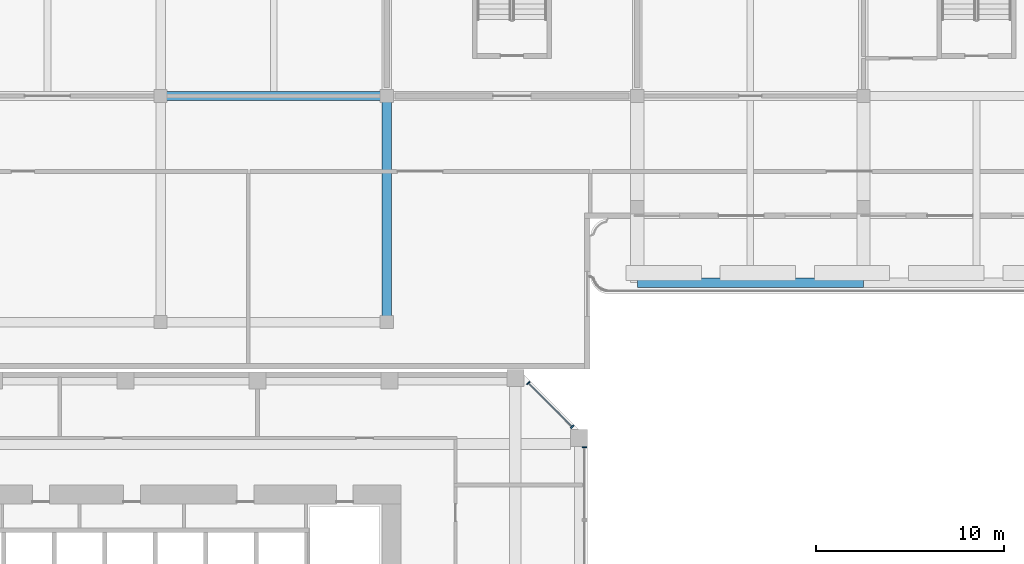
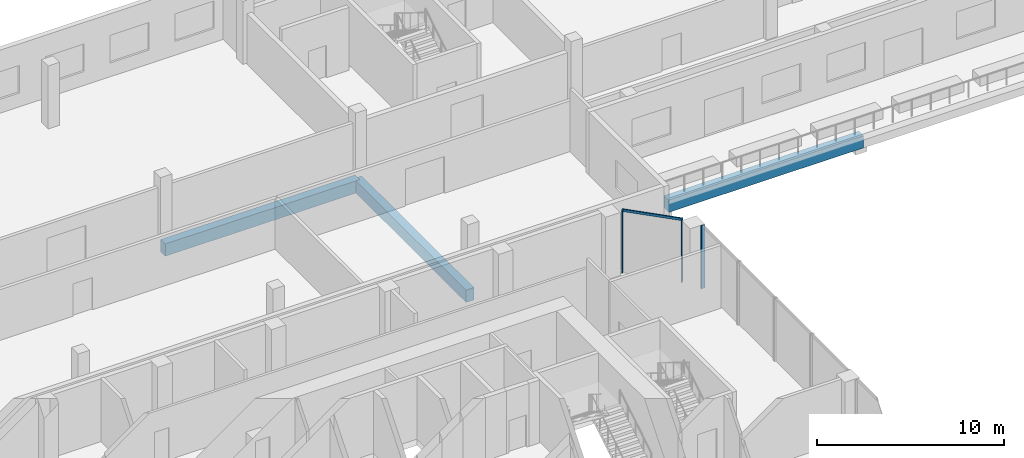
# One storey, part 10 of 36: 4 members, 3 beams, 2 elements without a shape of their own.
"""IFC4 building model written with IfcOpenShell, lengths in metres."""

import ifcopenshell
import ifcopenshell.guid

model = None  # the IFC model being written
_history = None  # IfcOwnerHistory: only IFC2X3 demands one
_inside = {}  # id of a spatial element -> (the spatial element, [elements in it])
_under = {}  # id of a project, library or spatial element -> (it, [spatial elements below it])
_declared = {}  # id of a project -> (the project, [libraries it declares])
_typed = {}  # id of a type object -> (the type object, [elements of that type])
_made_of = {}  # id of a material, layer set ... -> (it, [elements and type objects made of it])


def new_model(schema):
    """Start an empty IFC model of exactly this schema.

    Asked for "IFC4X3", IfcOpenShell would pick the latest addendum, in which some entities
    have other attributes; the version numbers below select the first issue.
    IFC2X3 requires an IfcOwnerHistory on every rooted entity: one is made here for all.
    """
    global model, _history
    if schema == "IFC4X3":
        model = ifcopenshell.file(schema_version=(4, 3, 0, 0))
    else:
        model = ifcopenshell.file(schema=schema)
    _inside.clear()
    _under.clear()
    _declared.clear()
    _typed.clear()
    _made_of.clear()
    _history = None
    if model.schema == "IFC2X3":
        org = make("IfcOrganization", Name="unknown")
        user = make(
            "IfcPersonAndOrganization",
            ThePerson=make("IfcPerson", FamilyName="unknown"),
            TheOrganization=org,
        )
        app = make(
            "IfcApplication",
            ApplicationDeveloper=org,
            Version="unknown",
            ApplicationFullName="unknown",
            ApplicationIdentifier="unknown",
        )
        _history = make(
            "IfcOwnerHistory",
            OwningUser=user,
            OwningApplication=app,
            ChangeAction="ADDED",
            CreationDate=0,
        )
    return model


def make(cls, **values):
    """One entity of the class cls with the attributes given. An attribute that is None is left unset."""
    return model.create_entity(
        cls, **{name: value for name, value in values.items() if value is not None}
    )


def rooted(cls, **values):
    """An entity with a GlobalId (a new one), such as an element, a storey or a relation."""
    return make(cls, GlobalId=ifcopenshell.guid.new(), OwnerHistory=_history, **values)


def si_unit(unit_type, name, prefix=None):
    """IfcSIUnit, for example si_unit("LENGTHUNIT", "METRE", prefix="MILLI")."""
    return make("IfcSIUnit", UnitType=unit_type, Prefix=prefix, Name=name)


def assignment(units):
    """IfcUnitAssignment: the units of a project."""
    return None if units is None else make("IfcUnitAssignment", Units=units)


def point(xyz):
    """IfcCartesianPoint."""
    return None if xyz is None else make("IfcCartesianPoint", Coordinates=xyz)


def direction(xyz):
    """IfcDirection."""
    return None if xyz is None else make("IfcDirection", DirectionRatios=xyz)


def frame(location, z_axis=None, x_axis=None):
    """IfcAxis2Placement3D, a coordinate frame: its origin and axes. An axis left out is left unset."""
    return make(
        "IfcAxis2Placement3D",
        Location=point(location),
        Axis=direction(z_axis),
        RefDirection=direction(x_axis),
    )


def frame_2d(location, x_axis=None):
    """IfcAxis2Placement2D, a coordinate frame in the plane: its origin and x axis."""
    return make(
        "IfcAxis2Placement2D", Location=point(location), RefDirection=direction(x_axis)
    )


def origin():
    """The frame at (0, 0, 0) with its axes left unset."""
    return frame((0.0, 0.0, 0.0))


def origin_2d():
    """The frame at (0, 0) in the plane with its x axis left unset."""
    return frame_2d((0.0, 0.0))


def place(relative_to, where):
    """IfcLocalPlacement: puts the frame where relative to a parent placement (None: the world)."""
    return make(
        "IfcLocalPlacement", PlacementRelTo=relative_to, RelativePlacement=where
    )


def context(
    kind, dimensions, precision=None, world=None, true_north=None, identifier=None
):
    """IfcGeometricRepresentationContext, for example the 3D "Model" context."""
    return make(
        "IfcGeometricRepresentationContext",
        ContextIdentifier=identifier,
        ContextType=kind,
        CoordinateSpaceDimension=dimensions,
        Precision=precision,
        WorldCoordinateSystem=world,
        TrueNorth=true_north,
    )


def subcontext(parent, identifier, kind, view, scale=None):
    """IfcGeometricRepresentationSubContext, for example "Body" below "Model"."""
    return make(
        "IfcGeometricRepresentationSubContext",
        ContextIdentifier=identifier,
        ContextType=kind,
        ParentContext=parent,
        TargetScale=scale,
        TargetView=view,
    )


def project(units=None, contexts=None):
    """IfcProject with its units and contexts."""
    return rooted(
        "IfcProject",
        Name="project",
        RepresentationContexts=contexts,
        UnitsInContext=assignment(units),
    )


def spatial(cls, under=None, at=None, **own):
    """A site, building, storey or space (cls), placed at a placement, below another one or the project."""
    s = rooted(cls, ObjectPlacement=at, **own)
    if under is not None:
        _under.setdefault(under.id(), (under, []))[1].append(s)
    return s


def profile(cls, at=None, kind="AREA", **sizes):
    """A parametric profile (cls). Its sizes go by their IFC names, for example OverallWidth=200.0."""
    return make(cls, ProfileType=kind, Position=at, **sizes)


def rectangle(**sizes):
    """IfcRectangleProfileDef."""
    return profile("IfcRectangleProfileDef", **sizes)


def extrude(swept, where, along, depth):
    """IfcExtrudedAreaSolid: the profile swept, set in the frame where, extruded along a direction by depth."""
    return make(
        "IfcExtrudedAreaSolid",
        SweptArea=swept,
        Position=where,
        ExtrudedDirection=direction(along),
        Depth=depth,
    )


def shape(context_of_items, identifier, shape_type, items):
    """IfcShapeRepresentation: the items that make up one representation, for example the "Body"."""
    return make(
        "IfcShapeRepresentation",
        ContextOfItems=context_of_items,
        RepresentationIdentifier=identifier,
        RepresentationType=shape_type,
        Items=items,
    )


def source(mapping_origin, context_of_items, identifier, shape_type, items):
    """IfcRepresentationMap: a shape defined once, which mapped items show again and again."""
    return make(
        "IfcRepresentationMap",
        MappingOrigin=mapping_origin,
        MappedRepresentation=shape(context_of_items, identifier, shape_type, items),
    )


def transform(
    local_origin,
    x_axis=None,
    y_axis=None,
    z_axis=None,
    scale=None,
    scale2=None,
    scale3=None,
    uniform=True,
):
    """IfcCartesianTransformationOperator3D, or its non-uniform kind. x_axis, y_axis, z_axis: its Axis1, 2, 3."""
    if uniform:
        return make(
            "IfcCartesianTransformationOperator3D",
            Axis1=direction(x_axis),
            Axis2=direction(y_axis),
            LocalOrigin=point(local_origin),
            Scale=scale,
            Axis3=direction(z_axis),
        )
    return make(
        "IfcCartesianTransformationOperator3DnonUniform",
        Axis1=direction(x_axis),
        Axis2=direction(y_axis),
        LocalOrigin=point(local_origin),
        Scale=scale,
        Axis3=direction(z_axis),
        Scale2=scale2,
        Scale3=scale3,
    )


def mapped(mapping_source, mapping_target):
    """IfcMappedItem: shows the shape of a source again, moved by a transform."""
    return make(
        "IfcMappedItem", MappingSource=mapping_source, MappingTarget=mapping_target
    )


def material(Name=None, Category=None):
    """IfcMaterial."""
    return make("IfcMaterial", Name=Name, Category=Category)


def material_profile(
    of_material, cross_section, Name=None, Category=None, Priority=None
):
    """IfcMaterialProfile: a cross section and its material."""
    return make(
        "IfcMaterialProfile",
        Name=Name,
        Material=of_material,
        Profile=cross_section,
        Priority=Priority,
        Category=Category,
    )


def profile_set(profiles, Name=None, composite=None):
    """IfcMaterialProfileSet."""
    return make(
        "IfcMaterialProfileSet",
        Name=Name,
        MaterialProfiles=profiles,
        CompositeProfile=composite,
    )


def made_of(thing, what):
    """Note that an element or type object is made of a material, layer set ...; save() writes the relation."""
    if what is not None:
        _made_of.setdefault(what.id(), (what, []))[1].append(thing)
    return thing


def type_object(cls, material=None, **own):
    """A type object (cls), such as IfcWallType, which elements share."""
    return made_of(rooted(cls, **own), material)


def element(
    cls,
    number,
    at=None,
    inside=None,
    cuts=None,
    type_object=None,
    material=None,
    context=None,
    identifier="Body",
    shape_type=None,
    held_by="IfcProductDefinitionShape",
    body=None,
    shapes=None,
    **own,
):
    """One element of the class cls, such as IfcWall. Its Tag is "e" and its number.

    at: its placement. inside: the storey or other place that contains it. cuts: it is an
    opening in that element (IfcRelVoidsElement). A single representation is given by context,
    identifier, shape_type and body (its items); several are given by shapes. held_by: the class
    of the entity that holds the representations. save() writes the other relations.
    """
    e = rooted(cls, Tag="e%d" % number, ObjectPlacement=at, **own)
    if body is not None:
        shapes = [shape(context, identifier, shape_type, body)]
    if shapes is not None:
        e.Representation = make(held_by, Representations=shapes)
    if inside is not None:
        _inside.setdefault(inside.id(), (inside, []))[1].append(e)
    if cuts is not None:
        rooted(
            "IfcRelVoidsElement", RelatingBuildingElement=cuts, RelatedOpeningElement=e
        )
    if type_object is not None:
        _typed.setdefault(type_object.id(), (type_object, []))[1].append(e)
    return made_of(e, material)


def aggregate(whole, parts):
    """IfcRelAggregates: a whole, such as a stair, and the parts it consists of."""
    return rooted("IfcRelAggregates", RelatingObject=whole, RelatedObjects=parts)


def save(model, path):
    """Write the relations noted so far, then the file.

    IfcRelAggregates (storeys below a building ...), IfcRelContainedInSpatialStructure (elements
    in a storey), IfcRelDefinesByType, IfcRelAssociatesMaterial and IfcRelDeclares: one each for
    every whole, place, type object, material and project.
    """
    for whole, parts in _under.values():
        aggregate(whole, parts)
    for where, things in _inside.values():
        rooted(
            "IfcRelContainedInSpatialStructure",
            RelatedElements=things,
            RelatingStructure=where,
        )
    for kind, things in _typed.values():
        rooted("IfcRelDefinesByType", RelatedObjects=things, RelatingType=kind)
    for what, things in _made_of.values():
        rooted("IfcRelAssociatesMaterial", RelatedObjects=things, RelatingMaterial=what)
    for by, libraries in _declared.values():
        rooted("IfcRelDeclares", RelatingContext=by, RelatedDefinitions=libraries)
    model.write(path)


model = new_model("IFC4")

# Units and contexts
model_context = context("Model", 3, precision=1e-05, world=origin(), true_north=direction((0.0, 1.0)))
body_context = subcontext(model_context, "Body", "Model", "MODEL_VIEW")
ifc_project = project(units=[si_unit("LENGTHUNIT", "METRE"), si_unit("AREAUNIT", "SQUARE_METRE"), si_unit("VOLUMEUNIT", "CUBIC_METRE"), si_unit("PLANEANGLEUNIT", "RADIAN"), si_unit("MASSUNIT", "GRAM", prefix="KILO")], contexts=[model_context])

# Site, building, storey
site_placement = place(None, origin())
site = spatial("IfcSite", under=ifc_project, at=site_placement, CompositionType="ELEMENT")
building_placement = place(site_placement, origin())
building = spatial("IfcBuilding", under=site, at=building_placement, Name="Kilnfold Tower and Market Hall", CompositionType="ELEMENT")
storey_placement = place(building_placement, frame((0.0, 0.0, 18.0)))
storey = spatial("IfcBuildingStorey", under=building, at=storey_placement, Name="L03", CompositionType="ELEMENT", Elevation=18.0)

# Beams
ifc_material_1 = material(Name="Concrete C40/50", Category="concrete")
ifc_material_profile_1 = material_profile(ifc_material_1, rectangle(XDim=0.5, YDim=0.800048828125, at=origin_2d()), Name="RC 500x800")
ifc_profile_set_1 = profile_set([ifc_material_profile_1], Name="Concrete C40/50")
beam_type = type_object("IfcBeamType", Name="HALL GIRDER 500X800", PredefinedType="BEAM", material=ifc_profile_set_1)
for number, where, z_axis, x_axis, name in (
    (1, (5.35009765625, 42.64990234375, -0.800048828125), (1.0, 0.0, 0.0), (0.0, 1.0, 0.0), "Beam MG2.56"),
    (2, (17.35009765625, 30.64990234375, -0.800048828125), (0.0, 1.0, 0.0), (-1.0, 0.0, 0.0), "Beam MG2.58"),
    (3, (30.64990234375, 32.75, -0.800048828125), (1.0, 0.0, 0.0), (0.0, 1.0, 0.0), "Beam MG2.62"),
):
    element("IfcBeam", number, at=place(storey_placement, frame(where, z_axis=z_axis, x_axis=x_axis)), inside=storey, type_object=beam_type, Name=name, PredefinedType="BEAM", context=body_context, shape_type="SweptSolid", body=[
        extrude(rectangle(XDim=0.5, YDim=0.800048828125, at=origin_2d()), origin(), (0.0, 0.0, 1.0), 12.0),
    ])

# Curtain wall, member
ifc_material_2 = material(Name="Aluminium and double glazing", Category="aluminium")
curtain_wall_type = type_object("IfcCurtainWallType", Name="CW BASE PODIUM GLAZING", PredefinedType="NOTDEFINED", material=ifc_material_2)
curtain_wall_1_placement = place(storey_placement, origin())
curtain_wall_1 = element("IfcCurtainWall", 4, at=curtain_wall_1_placement, inside=storey, type_object=curtain_wall_type, Name="Curtain wall CW4 L03 E", PredefinedType="NOTDEFINED")
ifc_material_3 = material(Name="Aluminium", Category="aluminium")
ifc_material_profile_2 = material_profile(ifc_material_3, rectangle(XDim=0.070068359375, YDim=0.219970703125, at=origin_2d()), Name="MULLION 70x220")
ifc_profile_set_2 = profile_set([ifc_material_profile_2], Name="Aluminium")
member_type_1 = type_object("IfcMemberType", Name="MULLION 70X220", PredefinedType="MULLION", material=ifc_profile_set_2)
shared_shape_1 = source(origin(), body_context, "Body", "SweptSolid", [
    extrude(rectangle(XDim=0.070068359375, YDim=0.219970703125, at=origin_2d()), origin(), (0.0, 0.0, 1.0), 4.10009765625),
])
member_1_placement = place(storey_placement, frame((27.85009765625, 24.014892578125, 0.0), z_axis=(0.0, 0.0, 1.0), x_axis=(0.0, 1.0, 0.0)))
member_1 = element("IfcMember", 5, at=member_1_placement, type_object=member_type_1, Name="CW4 mullion 2", PredefinedType="MULLION", context=body_context, shape_type="MappedRepresentation", body=[
    mapped(shared_shape_1, transform((0.0, 0.0, 0.0))),
])
aggregate(curtain_wall_1, [member_1])

# Curtain wall, members
curtain_wall_2_placement = place(storey_placement, origin())
curtain_wall_2 = element("IfcCurtainWall", 6, at=curtain_wall_2_placement, inside=storey, type_object=curtain_wall_type, Name="Curtain wall CW4 L03 NE", PredefinedType="NOTDEFINED")
member_2_placement = place(storey_placement, frame((27.194091796875, 25.09375, 0.0), z_axis=(0.0, 0.0, 1.0), x_axis=(-0.707091894879, 0.707121667181, 0.0)))
member_2 = element("IfcMember", 7, at=member_2_placement, type_object=member_type_1, Name="CW4 mullion 1", PredefinedType="MULLION", context=body_context, shape_type="MappedRepresentation", body=[
    mapped(shared_shape_1, transform((0.0, 0.0, 0.0))),
])
member_3_placement = place(storey_placement, frame((24.86865234375, 27.419189453125, 0.0), z_axis=(0.0, 0.0, 1.0), x_axis=(-0.707091894879, 0.707121667181, 0.0)))
member_3 = element("IfcMember", 8, at=member_3_placement, type_object=member_type_1, Name="CW4 mullion 2", PredefinedType="MULLION", context=body_context, shape_type="MappedRepresentation", body=[
    mapped(shared_shape_1, transform((0.0, 0.0, 0.0))),
])
ifc_material_4 = material(Name="Aluminium", Category="aluminium")
ifc_material_profile_3 = material_profile(ifc_material_4, rectangle(XDim=0.070068359375, YDim=0.159912109375, at=origin_2d()), Name="TRANSOM 70x160")
ifc_profile_set_3 = profile_set([ifc_material_profile_3], Name="Aluminium")
member_type_2 = type_object("IfcMemberType", Name="TRANSOM 70X160", PredefinedType="USERDEFINED", material=ifc_profile_set_3)
shared_shape_2 = source(origin(), body_context, "Body", "SweptSolid", [
    extrude(rectangle(XDim=0.070068359375, YDim=0.159912109375, at=origin_2d()), origin(), (0.0, 0.0, 1.0), 3.218994140625),
])
member_4_placement = place(storey_placement, frame((27.16943359375, 25.118408203125, 4.06494140625), z_axis=(-0.707106781187, 0.707106781187, 0.0), x_axis=(-0.707106781187, -0.707106781187, 0.0)))
member_4 = element("IfcMember", 9, at=member_4_placement, type_object=member_type_2, Name="CW4 transom 1.2", ObjectType="TRANSOM", PredefinedType="USERDEFINED", context=body_context, shape_type="MappedRepresentation", body=[
    mapped(shared_shape_2, transform((0.0, 0.0, 0.0))),
])
aggregate(curtain_wall_2, [member_2, member_3, member_4])

save(model, "model.ifc")
